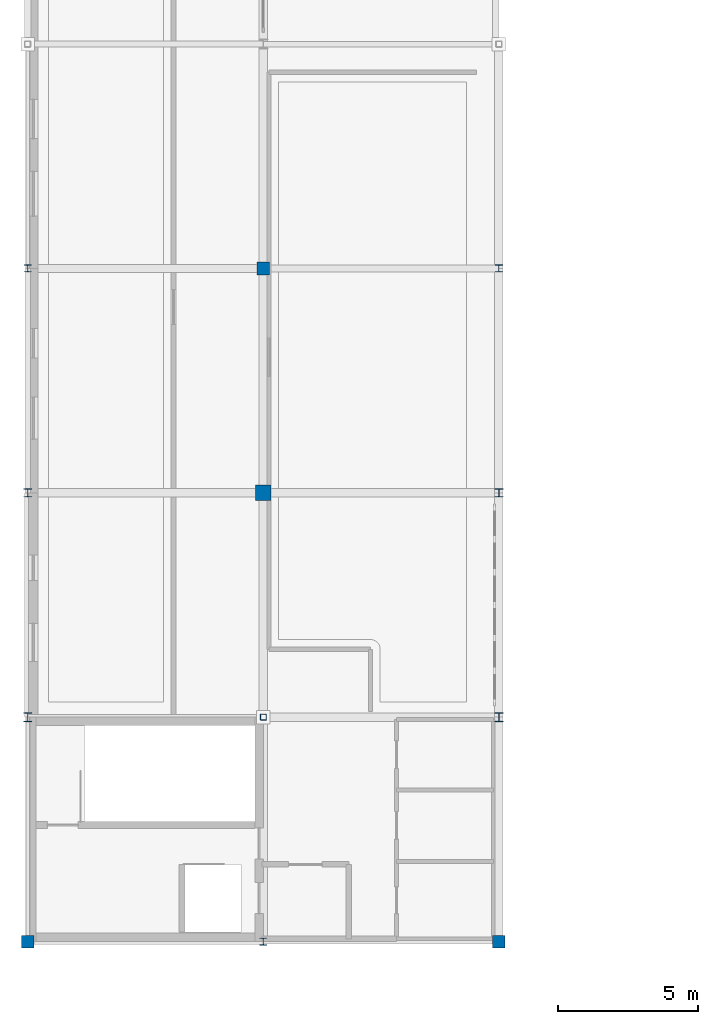
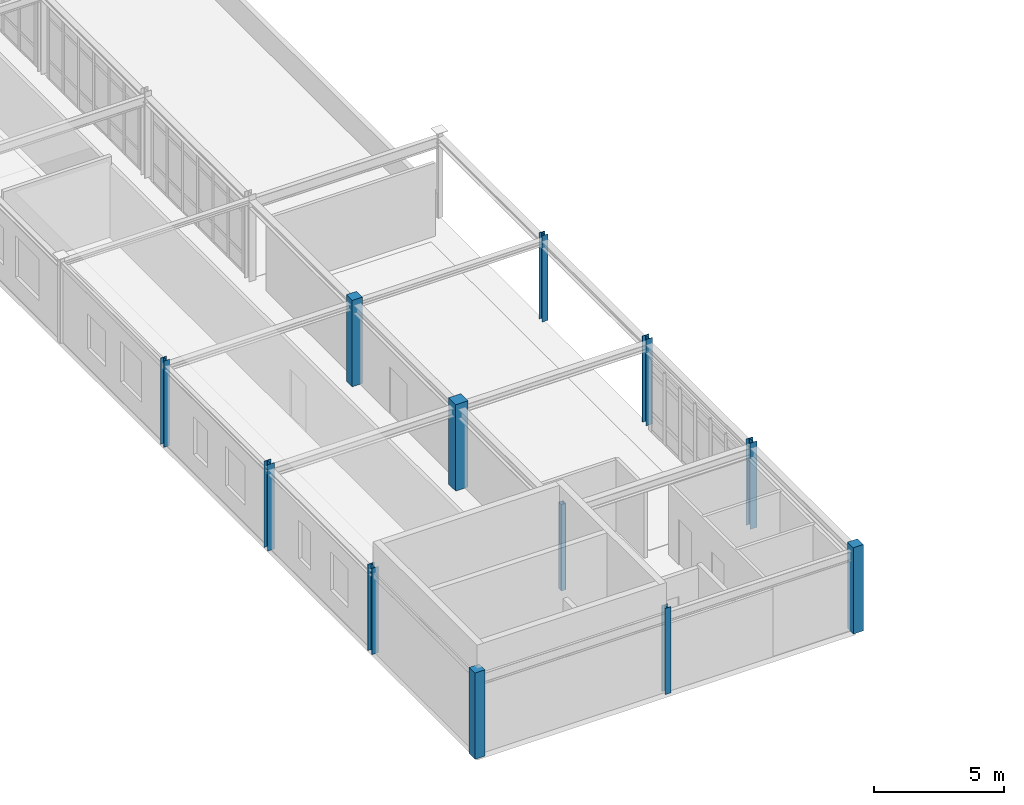
# One storey, part 1 of 58: 12 columns.
"""IFC4 building model written with IfcOpenShell, lengths in metres."""

from ifc_helpers import new_model, si_unit, derived_unit, direction, frame, origin, origin_2d, place, context, subcontext, project, spatial, rectangle, hollow_rectangle, i_section, extrude, material, material_profile, profile_set, type_object, element, save


model = new_model("IFC4")

# Units and contexts
model_context = context("Model", 3, precision=1e-05, world=origin(), true_north=direction((0.0, 1.0)))
body_context = subcontext(model_context, "Body", "Model", "MODEL_VIEW")
ifc_project = project(units=[si_unit("LENGTHUNIT", "METRE"), si_unit("AREAUNIT", "SQUARE_METRE"), si_unit("VOLUMEUNIT", "CUBIC_METRE"), si_unit("PLANEANGLEUNIT", "RADIAN"), si_unit("MASSUNIT", "GRAM", prefix="KILO"), derived_unit("THERMALTRANSMITTANCEUNIT", [(si_unit("POWERUNIT", "WATT"), 1), (si_unit("AREAUNIT", "SQUARE_METRE"), -1), (si_unit("THERMODYNAMICTEMPERATUREUNIT", "KELVIN"), -1)])], contexts=[model_context])

# Site, building, storey
site_placement = place(None, origin())
site = spatial("IfcSite", under=ifc_project, at=site_placement, CompositionType="ELEMENT")
building_placement = place(site_placement, origin())
building = spatial("IfcBuilding", under=site, at=building_placement, Name="Yasenodar Specialist Clinic", CompositionType="ELEMENT")
storey_placement = place(building_placement, frame((0.0, 0.0, 21.300048828125)))
storey = spatial("IfcBuildingStorey", under=building, at=storey_placement, Name="L05", CompositionType="ELEMENT", Elevation=21.300048828125)

# Columns
ifc_material_1 = material(Name="Concrete C35/45", Category="concrete")
ifc_material_profile_1 = material_profile(ifc_material_1, rectangle(XDim=0.449951171875, YDim=0.449951171875, at=origin_2d()), Name="RC 450x450")
ifc_profile_set_1 = profile_set([ifc_material_profile_1], Name="Concrete C35/45")
column_type_1 = type_object("IfcColumnType", Name="COL-RC-450", PredefinedType="COLUMN", material=ifc_profile_set_1)
for number, where, z_axis, x_axis, name in (
    (1, (0.0, 34.800048828125, 0.0), (0.0, 0.0, 1.0), (1.0, 0.0, 0.0), "L05 Column V4-005"),
    (2, (8.39990234375, 58.800048828125, 0.0), (0.0, 0.0, 1.0), (1.0, 0.0, 0.0), "L05 Column V4-023"),
    (3, (16.800048828125, 34.800048828125, 0.0), (0.0, 0.0, 1.0), (1.0, 0.0, 0.0), "L05 Column V4-035"),
):
    element("IfcColumn", number, at=place(storey_placement, frame(where, z_axis=z_axis, x_axis=x_axis)), inside=storey, type_object=column_type_1, Name=name, PredefinedType="COLUMN", context=body_context, shape_type="SweptSolid", body=[
        extrude(rectangle(XDim=0.449951171875, YDim=0.449951171875, at=origin_2d()), origin(), (0.0, 0.0, 1.0), 4.050048828125),
    ])
ifc_material_profile_2 = material_profile(ifc_material_1, rectangle(XDim=0.550048828125, YDim=0.550048828125, at=origin_2d()), Name="RC 550x550")
ifc_profile_set_2 = profile_set([ifc_material_profile_2], Name="Concrete C35/45")
column_type_2 = type_object("IfcColumnType", Name="COL-RC-550", PredefinedType="COLUMN", material=ifc_profile_set_2)
column_1_placement = place(storey_placement, frame((8.39990234375, 50.800048828125, 0.0), z_axis=(0.0, 0.0, 1.0), x_axis=(1.0, 0.0, 0.0)))
element("IfcColumn", 4, at=column_1_placement, inside=storey, type_object=column_type_2, Name="L05 Column V4-022", PredefinedType="COLUMN", context=body_context, shape_type="SweptSolid", body=[
    extrude(rectangle(XDim=0.550048828125, YDim=0.550048828125, at=origin_2d()), origin(), (0.0, 0.0, 1.0), 4.050048828125),
])
ifc_material_2 = material(Name="Steel S355", Category="steel")
ifc_material_profile_3 = material_profile(ifc_material_2, i_section(OverallWidth=0.260009765625, OverallDepth=0.25, WebThickness=0.007568359375, FlangeThickness=0.012451171875, FilletRadius=0.02392578125, at=origin_2d()), Name="HEA 260")
ifc_profile_set_3 = profile_set([ifc_material_profile_3], Name="Steel S355")
column_type_3 = type_object("IfcColumnType", Name="COL-ST-HEA260", PredefinedType="COLUMN", material=ifc_profile_set_3)
for number, where, z_axis, x_axis, name in (
    (5, (0.0, 58.800048828125, 0.0), (0.0, 0.0, 1.0), (1.0, 0.0, 0.0), "L05 Column V4-008"),
    (6, (8.39990234375, 34.800048828125, 0.0), (0.0, 0.0, 1.0), (1.0, 0.0, 0.0), "L05 Column V4-020"),
    (7, (16.800048828125, 58.800048828125, 0.0), (0.0, 0.0, 1.0), (1.0, 0.0, 0.0), "L05 Column V4-038"),
):
    element("IfcColumn", number, at=place(storey_placement, frame(where, z_axis=z_axis, x_axis=x_axis)), inside=storey, type_object=column_type_3, Name=name, PredefinedType="COLUMN", context=body_context, shape_type="SweptSolid", body=[
        extrude(i_section(OverallWidth=0.260009765625, OverallDepth=0.25, WebThickness=0.007568359375, FlangeThickness=0.012451171875, FilletRadius=0.02392578125, at=origin_2d()), origin(), (0.0, 0.0, 1.0), 4.050048828125),
    ])
ifc_material_profile_4 = material_profile(ifc_material_2, i_section(OverallWidth=0.300048828125, OverallDepth=0.2900390625, WebThickness=0.008544921875, FlangeThickness=0.013916015625, FilletRadius=0.027099609375, at=origin_2d()), Name="HEA 300")
ifc_profile_set_4 = profile_set([ifc_material_profile_4], Name="Steel S355")
column_type_4 = type_object("IfcColumnType", Name="COL-ST-HEA300", PredefinedType="COLUMN", material=ifc_profile_set_4)
for number, where, z_axis, x_axis, name in (
    (8, (0.0, 50.800048828125, 0.0), (0.0, 0.0, 1.0), (1.0, 0.0, 0.0), "L05 Column V4-007"),
    (9, (16.800048828125, 50.800048828125, 0.0), (0.0, 0.0, 1.0), (1.0, 0.0, 0.0), "L05 Column V4-037"),
):
    element("IfcColumn", number, at=place(storey_placement, frame(where, z_axis=z_axis, x_axis=x_axis)), inside=storey, type_object=column_type_4, Name=name, PredefinedType="COLUMN", context=body_context, shape_type="SweptSolid", body=[
        extrude(i_section(OverallWidth=0.300048828125, OverallDepth=0.2900390625, WebThickness=0.008544921875, FlangeThickness=0.013916015625, FilletRadius=0.027099609375, at=origin_2d()), origin(), (0.0, 0.0, 1.0), 4.050048828125),
    ])
ifc_material_profile_5 = material_profile(ifc_material_2, i_section(OverallWidth=0.300048828125, OverallDepth=0.330078125, WebThickness=0.009521484375, FlangeThickness=0.0166015625, FilletRadius=0.027099609375, at=origin_2d()), Name="HEA 340")
ifc_profile_set_5 = profile_set([ifc_material_profile_5], Name="Steel S355")
column_type_5 = type_object("IfcColumnType", Name="COL-ST-HEA340", PredefinedType="COLUMN", material=ifc_profile_set_5)
for number, where, z_axis, x_axis, name in (
    (10, (0.0, 42.800048828125, 0.0), (0.0, 0.0, 1.0), (1.0, 0.0, 0.0), "L05 Column V4-006"),
    (11, (16.800048828125, 42.800048828125, 0.0), (0.0, 0.0, 1.0), (1.0, 0.0, 0.0), "L05 Column V4-036"),
):
    element("IfcColumn", number, at=place(storey_placement, frame(where, z_axis=z_axis, x_axis=x_axis)), inside=storey, type_object=column_type_5, Name=name, PredefinedType="COLUMN", context=body_context, shape_type="SweptSolid", body=[
        extrude(i_section(OverallWidth=0.300048828125, OverallDepth=0.330078125, WebThickness=0.009521484375, FlangeThickness=0.0166015625, FilletRadius=0.027099609375, at=origin_2d()), origin(), (0.0, 0.0, 1.0), 4.050048828125),
    ])
ifc_material_profile_6 = material_profile(ifc_material_2, hollow_rectangle(XDim=0.219970703125, YDim=0.219970703125, WallThickness=0.012451171875, InnerFilletRadius=0.018798828125, OuterFilletRadius=0.03125, at=origin_2d()), Name="SHS 220x220x12.5")
ifc_profile_set_6 = profile_set([ifc_material_profile_6], Name="Steel S355")
column_type_6 = type_object("IfcColumnType", Name="COL-ST-SHS220", PredefinedType="COLUMN", material=ifc_profile_set_6)
column_2_placement = place(storey_placement, frame((8.39990234375, 42.800048828125, 0.0), z_axis=(0.0, 0.0, 1.0), x_axis=(1.0, 0.0, 0.0)))
element("IfcColumn", 12, at=column_2_placement, inside=storey, type_object=column_type_6, Name="L05 Column V4-021", PredefinedType="COLUMN", context=body_context, shape_type="SweptSolid", body=[
    extrude(hollow_rectangle(XDim=0.219970703125, YDim=0.219970703125, WallThickness=0.012451171875, InnerFilletRadius=0.018798828125, OuterFilletRadius=0.03125, at=origin_2d()), origin(), (0.0, 0.0, 1.0), 4.050048828125),
])

save(model, "model.ifc")
